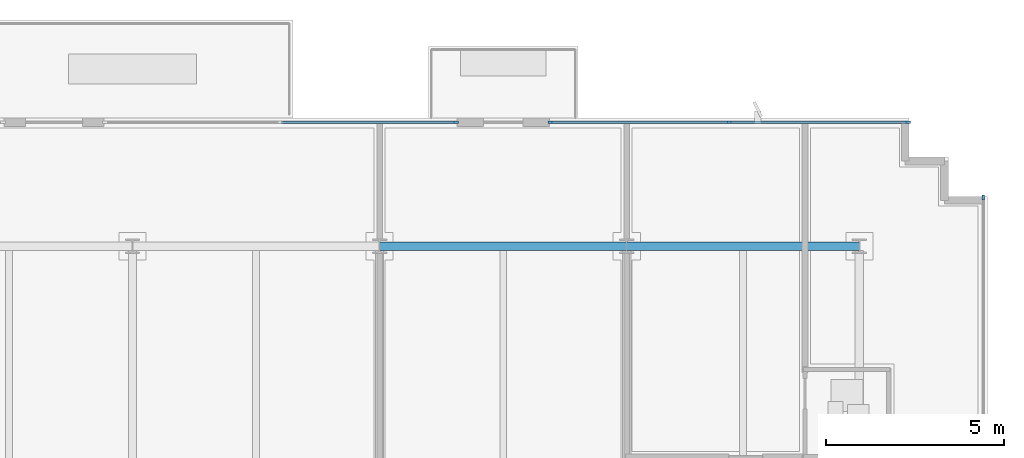
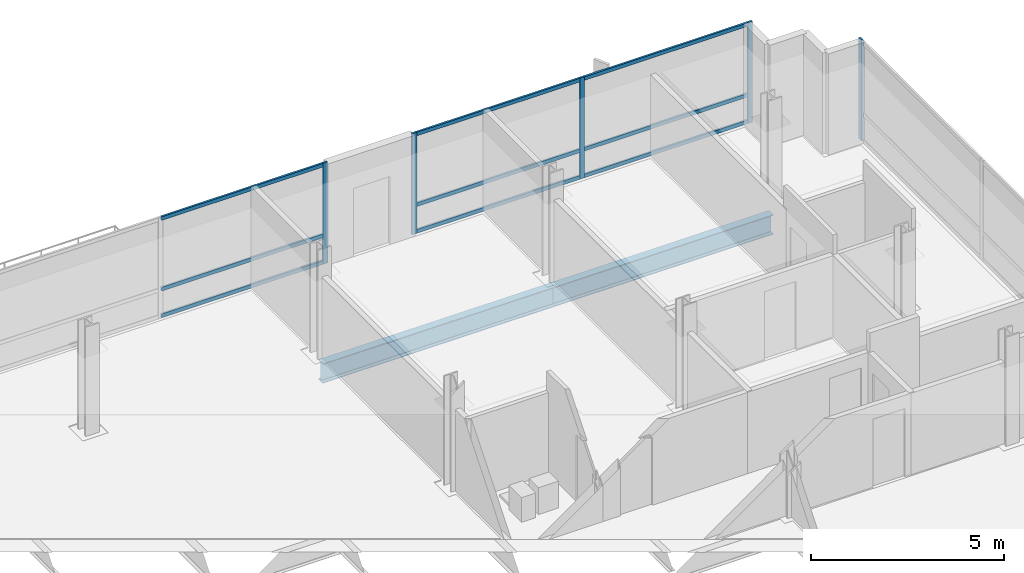
# One storey, part 9 of 19: 14 members, 2 beams, 3 elements without a shape of their own.
"""IFC4 building model written with IfcOpenShell, lengths in metres."""

from ifc_helpers import new_model, si_unit, direction, frame, origin, origin_2d, place, context, subcontext, project, spatial, rectangle, i_section, extrude, material, material_profile, profile_set, type_object, element, aggregate, save


model = new_model("IFC4")

# Units and contexts
model_context = context("Model", 3, precision=1e-05, world=origin(), true_north=direction((0.0, 1.0)))
body_context = subcontext(model_context, "Body", "Model", "MODEL_VIEW")
ifc_project = project(units=[si_unit("LENGTHUNIT", "METRE"), si_unit("AREAUNIT", "SQUARE_METRE"), si_unit("VOLUMEUNIT", "CUBIC_METRE"), si_unit("PLANEANGLEUNIT", "RADIAN"), si_unit("MASSUNIT", "GRAM", prefix="KILO")], contexts=[model_context])

# Site, building, storey
site_placement = place(None, origin())
site = spatial("IfcSite", under=ifc_project, at=site_placement, CompositionType="ELEMENT")
building_placement = place(site_placement, origin())
building = spatial("IfcBuilding", under=site, at=building_placement, Name="Solmavex Isthmus Hotel", CompositionType="ELEMENT")
storey_placement = place(building_placement, frame((0.0, 0.0, 262.64990234375)))
storey = spatial("IfcBuildingStorey", under=building, at=storey_placement, Name="L71", CompositionType="ELEMENT", Elevation=262.64990234375)

# Beams
ifc_material_1 = material(Name="Steel ASTM A992 Grade 50", Category="steel")
ifc_material_profile_1 = material_profile(ifc_material_1, i_section(OverallWidth=0.230224609375, OverallDepth=0.617431640625, WebThickness=0.01318359375, FlangeThickness=0.022216796875, FilletRadius=0.01513671875, at=origin_2d()), Name="W24X94")
ifc_profile_set_1 = profile_set([ifc_material_profile_1], Name="Steel ASTM A992 Grade 50")
beam_type = type_object("IfcBeamType", Name="BM-SP-W24X94", PredefinedType="SPANDREL", material=ifc_profile_set_1)
beam_1_placement = place(storey_placement, frame((6.93603515625, 17.699951171875, -0.568603515625), z_axis=(1.0, 0.0, 0.0), x_axis=(0.0, 1.0, 0.0)))
element("IfcBeam", 1, at=beam_1_placement, inside=storey, type_object=beam_type, Name="Floor Girder L71-UG19", PredefinedType="SPANDREL", context=body_context, shape_type="SweptSolid", body=[
    extrude(i_section(OverallWidth=0.230224609375, OverallDepth=0.617431640625, WebThickness=0.01318359375, FlangeThickness=0.022216796875, FilletRadius=0.01513671875, at=origin_2d()), origin(), (0.0, 0.0, 1.0), 6.93603515625),
])
beam_2_placement = place(storey_placement, frame((13.8720703125, 17.699951171875, -0.568603515625), z_axis=(1.0, 0.0, 0.0), x_axis=(0.0, 1.0, 0.0)))
element("IfcBeam", 2, at=beam_2_placement, inside=storey, type_object=beam_type, Name="Floor Girder L71-UG20", PredefinedType="SPANDREL", context=body_context, shape_type="SweptSolid", body=[
    extrude(i_section(OverallWidth=0.230224609375, OverallDepth=0.617431640625, WebThickness=0.01318359375, FlangeThickness=0.022216796875, FilletRadius=0.01513671875, at=origin_2d()), origin(), (0.0, 0.0, 1.0), 6.52783203125),
])

# Curtain wall, member
ifc_material_2 = material(Name="Aluminium alloy 6063-T6", Category="aluminium")
curtain_wall_type = type_object("IfcCurtainWallType", Name="CW-SYS-06", PredefinedType="NOTDEFINED", material=ifc_material_2)
curtain_wall_1_placement = place(storey_placement, origin())
curtain_wall_1 = element("IfcCurtainWall", 3, at=curtain_wall_1_placement, inside=storey, type_object=curtain_wall_type, Name="Stick Curtain Wall CWL-L71-N2", PredefinedType="NOTDEFINED")
ifc_material_profile_2 = material_profile(ifc_material_2, rectangle(XDim=0.06005859375, YDim=0.139892578125, at=origin_2d()), Name="CWM-60X140")
ifc_profile_set_2 = profile_set([ifc_material_profile_2], Name="Aluminium alloy 6063-T6")
member_type_1 = type_object("IfcMemberType", Name="CW-SYS-06-MUL", PredefinedType="MULLION", material=ifc_profile_set_2)
member_1_placement = place(storey_placement, frame((9.073974609375, 21.179931640625, 0.0), z_axis=(0.0, 0.0, 1.0), x_axis=(0.0, 1.0, 0.0)))
member_1 = element("IfcMember", 4, at=member_1_placement, type_object=member_type_1, Name="CW-06 mullion 3", PredefinedType="MULLION", context=body_context, shape_type="SweptSolid", body=[
    extrude(rectangle(XDim=0.06005859375, YDim=0.139892578125, at=origin_2d()), origin(), (0.0, 0.0, 1.0), 3.190185546875),
])

# Curtain wall, members
curtain_wall_2_placement = place(storey_placement, origin())
curtain_wall_2 = element("IfcCurtainWall", 5, at=curtain_wall_2_placement, inside=storey, type_object=curtain_wall_type, Name="Stick Curtain Wall CWL-L71-N3", PredefinedType="NOTDEFINED")
member_2_placement = place(storey_placement, frame((11.73388671875, 21.179931640625, 0.0), z_axis=(0.0, 0.0, 1.0), x_axis=(0.0, 1.0, 0.0)))
member_2 = element("IfcMember", 6, at=member_2_placement, type_object=member_type_1, Name="CW-06 mullion 1", PredefinedType="MULLION", context=body_context, shape_type="SweptSolid", body=[
    extrude(rectangle(XDim=0.06005859375, YDim=0.139892578125, at=origin_2d()), origin(), (0.0, 0.0, 1.0), 3.190185546875),
])
member_3_placement = place(storey_placement, frame((16.751953125, 21.179931640625, 0.0), z_axis=(0.0, 0.0, 1.0), x_axis=(0.0, 1.0, 0.0)))
member_3 = element("IfcMember", 7, at=member_3_placement, type_object=member_type_1, Name="CW-06 mullion 2", PredefinedType="MULLION", context=body_context, shape_type="SweptSolid", body=[
    extrude(rectangle(XDim=0.06005859375, YDim=0.139892578125, at=origin_2d()), origin(), (0.0, 0.0, 1.0), 3.190185546875),
])
member_4_placement = place(storey_placement, frame((21.77001953125, 21.179931640625, 0.0), z_axis=(0.0, 0.0, 1.0), x_axis=(0.0, 1.0, 0.0)))
member_4 = element("IfcMember", 8, at=member_4_placement, type_object=member_type_1, Name="CW-06 mullion 3", PredefinedType="MULLION", context=body_context, shape_type="SweptSolid", body=[
    extrude(rectangle(XDim=0.06005859375, YDim=0.139892578125, at=origin_2d()), origin(), (0.0, 0.0, 1.0), 3.190185546875),
])

# Curtain wall, member
curtain_wall_3_placement = place(storey_placement, origin())
curtain_wall_3 = element("IfcCurtainWall", 9, at=curtain_wall_3_placement, inside=storey, type_object=curtain_wall_type, Name="Stick Curtain Wall CWL-L71-E1", PredefinedType="NOTDEFINED")
member_5_placement = place(storey_placement, frame((23.8798828125, 19.070068359375, 0.0), z_axis=(0.0, 0.0, 1.0), x_axis=(-1.0, 0.0, 0.0)))
member_5 = element("IfcMember", 10, at=member_5_placement, type_object=member_type_1, Name="CW-06 mullion 6", PredefinedType="MULLION", context=body_context, shape_type="SweptSolid", body=[
    extrude(rectangle(XDim=0.06005859375, YDim=0.139892578125, at=origin_2d()), origin(), (0.0, 0.0, 1.0), 3.190185546875),
])
aggregate(curtain_wall_3, [member_5])

# Member
ifc_material_profile_3 = material_profile(ifc_material_2, rectangle(XDim=0.06005859375, YDim=0.114990234375, at=origin_2d()), Name="CWT-60X115")
ifc_profile_set_3 = profile_set([ifc_material_profile_3], Name="Aluminium alloy 6063-T6")
member_type_2 = type_object("IfcMemberType", Name="CW-SYS-06-TRN", PredefinedType="USERDEFINED", material=ifc_profile_set_3)
member_6_placement = place(storey_placement, frame((4.181884765625, 21.179931640625, 0.0576171875), z_axis=(1.0, 0.0, 0.0), x_axis=(0.0, 1.0, 0.0)))
member_6 = element("IfcMember", 11, at=member_6_placement, type_object=member_type_2, Name="CW-06 transom 2.1", ObjectType="TRANSOM", PredefinedType="USERDEFINED", context=body_context, shape_type="SweptSolid", body=[
    extrude(rectangle(XDim=0.06005859375, YDim=0.114990234375, at=origin_2d()), origin(), (0.0, 0.0, 1.0), 4.862060546875),
])

member_7_placement = place(storey_placement, frame((4.181884765625, 21.179931640625, 0.900146484375), z_axis=(1.0, 0.0, 0.0), x_axis=(0.0, 1.0, 0.0)))
member_7 = element("IfcMember", 12, at=member_7_placement, type_object=member_type_2, Name="CW-06 transom 2.2", ObjectType="TRANSOM", PredefinedType="USERDEFINED", context=body_context, shape_type="SweptSolid", body=[
    extrude(rectangle(XDim=0.06005859375, YDim=0.114990234375, at=origin_2d()), origin(), (0.0, 0.0, 1.0), 4.862060546875),
])

member_8_placement = place(storey_placement, frame((4.181884765625, 21.179931640625, 3.132568359375), z_axis=(1.0, 0.0, 0.0), x_axis=(0.0, 1.0, 0.0)))
member_8 = element("IfcMember", 13, at=member_8_placement, type_object=member_type_2, Name="CW-06 transom 2.3", ObjectType="TRANSOM", PredefinedType="USERDEFINED", context=body_context, shape_type="SweptSolid", body=[
    extrude(rectangle(XDim=0.06005859375, YDim=0.114990234375, at=origin_2d()), origin(), (0.0, 0.0, 1.0), 4.862060546875),
])

aggregate(curtain_wall_1, [member_1, member_6, member_7, member_8])

member_9_placement = place(storey_placement, frame((11.763916015625, 21.179931640625, 0.0576171875), z_axis=(1.0, 0.0, 0.0), x_axis=(0.0, 1.0, 0.0)))
member_9 = element("IfcMember", 14, at=member_9_placement, type_object=member_type_2, Name="CW-06 transom 1.1", ObjectType="TRANSOM", PredefinedType="USERDEFINED", context=body_context, shape_type="SweptSolid", body=[
    extrude(rectangle(XDim=0.06005859375, YDim=0.114990234375, at=origin_2d()), origin(), (0.0, 0.0, 1.0), 4.9580078125),
])

member_10_placement = place(storey_placement, frame((11.763916015625, 21.179931640625, 0.900146484375), z_axis=(1.0, 0.0, 0.0), x_axis=(0.0, 1.0, 0.0)))
member_10 = element("IfcMember", 15, at=member_10_placement, type_object=member_type_2, Name="CW-06 transom 1.2", ObjectType="TRANSOM", PredefinedType="USERDEFINED", context=body_context, shape_type="SweptSolid", body=[
    extrude(rectangle(XDim=0.06005859375, YDim=0.114990234375, at=origin_2d()), origin(), (0.0, 0.0, 1.0), 4.9580078125),
])

member_11_placement = place(storey_placement, frame((11.763916015625, 21.179931640625, 3.132568359375), z_axis=(1.0, 0.0, 0.0), x_axis=(0.0, 1.0, 0.0)))
member_11 = element("IfcMember", 16, at=member_11_placement, type_object=member_type_2, Name="CW-06 transom 1.3", ObjectType="TRANSOM", PredefinedType="USERDEFINED", context=body_context, shape_type="SweptSolid", body=[
    extrude(rectangle(XDim=0.06005859375, YDim=0.114990234375, at=origin_2d()), origin(), (0.0, 0.0, 1.0), 4.9580078125),
])

member_12_placement = place(storey_placement, frame((16.781982421875, 21.179931640625, 0.0576171875), z_axis=(1.0, 0.0, 0.0), x_axis=(0.0, 1.0, 0.0)))
member_12 = element("IfcMember", 17, at=member_12_placement, type_object=member_type_2, Name="CW-06 transom 2.1", ObjectType="TRANSOM", PredefinedType="USERDEFINED", context=body_context, shape_type="SweptSolid", body=[
    extrude(rectangle(XDim=0.06005859375, YDim=0.114990234375, at=origin_2d()), origin(), (0.0, 0.0, 1.0), 4.9580078125),
])

member_13_placement = place(storey_placement, frame((16.781982421875, 21.179931640625, 0.900146484375), z_axis=(1.0, 0.0, 0.0), x_axis=(0.0, 1.0, 0.0)))
member_13 = element("IfcMember", 18, at=member_13_placement, type_object=member_type_2, Name="CW-06 transom 2.2", ObjectType="TRANSOM", PredefinedType="USERDEFINED", context=body_context, shape_type="SweptSolid", body=[
    extrude(rectangle(XDim=0.06005859375, YDim=0.114990234375, at=origin_2d()), origin(), (0.0, 0.0, 1.0), 4.9580078125),
])

member_14_placement = place(storey_placement, frame((16.781982421875, 21.179931640625, 3.132568359375), z_axis=(1.0, 0.0, 0.0), x_axis=(0.0, 1.0, 0.0)))
member_14 = element("IfcMember", 19, at=member_14_placement, type_object=member_type_2, Name="CW-06 transom 2.3", ObjectType="TRANSOM", PredefinedType="USERDEFINED", context=body_context, shape_type="SweptSolid", body=[
    extrude(rectangle(XDim=0.06005859375, YDim=0.114990234375, at=origin_2d()), origin(), (0.0, 0.0, 1.0), 4.9580078125),
])

aggregate(curtain_wall_2, [member_2, member_3, member_4, member_9, member_10, member_11, member_12, member_13, member_14])

save(model, "model.ifc")
